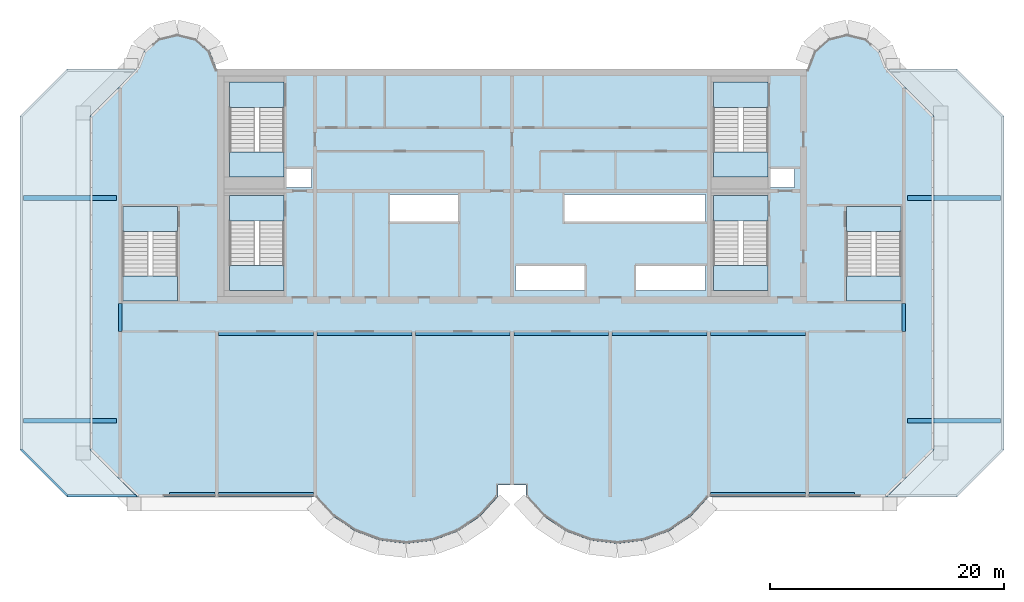
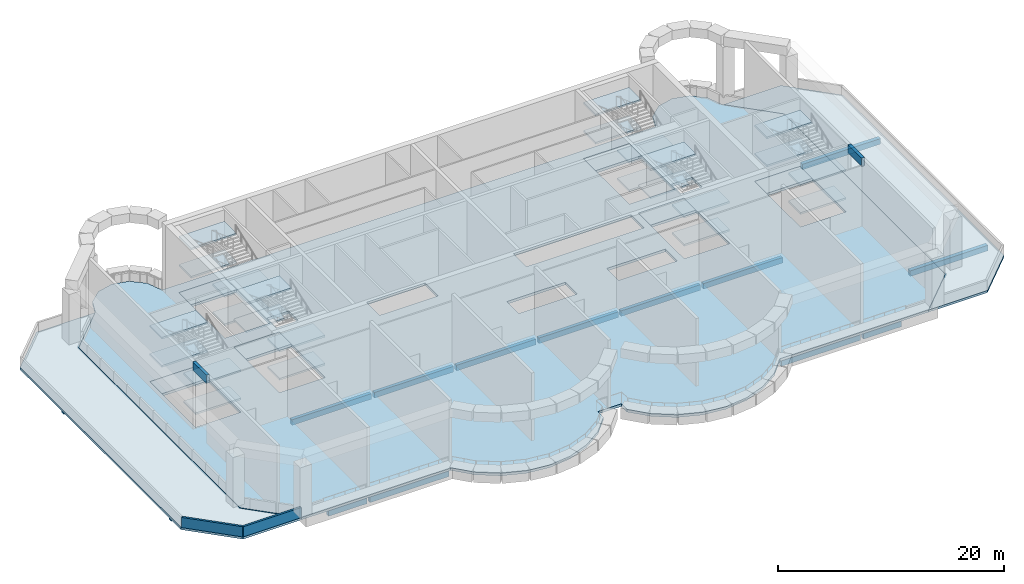
# One storey, part 1 of 11: 33 slabs, 16 beams, 2 walls, 6 elements without a shape of their own.
"""IFC4 building model written with IfcOpenShell, lengths in metres."""

from ifc_helpers import new_model, si_unit, direction, frame, frame_2d, origin, origin_2d, place, context, subcontext, project, spatial, polyline, rectangle, outline, extrude, source, transform, mapped, material, layer, layer_set, material_profile, profile_set, type_object, element, aggregate, save


model = new_model("IFC4")

# Units and contexts
model_context = context("Model", 3, precision=1e-05, world=origin(), true_north=direction((0.0, 1.0)))
body_context = subcontext(model_context, "Body", "Model", "MODEL_VIEW")
ifc_project = project(units=[si_unit("LENGTHUNIT", "METRE"), si_unit("AREAUNIT", "SQUARE_METRE"), si_unit("VOLUMEUNIT", "CUBIC_METRE"), si_unit("PLANEANGLEUNIT", "RADIAN"), si_unit("MASSUNIT", "GRAM", prefix="KILO")], contexts=[model_context])

# Site, building, storey
site_placement = place(None, origin())
site = spatial("IfcSite", under=ifc_project, at=site_placement, CompositionType="ELEMENT")
building_placement = place(site_placement, origin())
building = spatial("IfcBuilding", under=site, at=building_placement, Name="Vanashikhar Sky Hotel", CompositionType="ELEMENT")
storey_placement = place(building_placement, frame((0.0, 0.0, 206.39990234375)))
storey = spatial("IfcBuildingStorey", under=building, at=storey_placement, Name="L50", CompositionType="ELEMENT", Elevation=206.39990234375)

# Beams
ifc_material_1 = material(Name="Concrete M50", Category="concrete")
ifc_material_profile_1 = material_profile(ifc_material_1, rectangle(XDim=0.300048828125, YDim=0.89990234375, at=origin_2d()))
ifc_profile_set_1 = profile_set([ifc_material_profile_1], Name="RC 300x900 beam Concrete M50")
beam_type_1 = type_object("IfcBeamType", Name="RC 300x900 beam Concrete M50", PredefinedType="LINTEL", material=ifc_profile_set_1)
shared_shape_1 = source(origin(), body_context, "Body", "SweptSolid", [
    extrude(rectangle(XDim=0.300048828125, YDim=0.89990234375, at=origin_2d()), origin(), (0.0, 0.0, 1.0), 2.39990234375),
])
for number, where, z_axis, x_axis, name in (
    (1, (16.949951171875, 19.60009765625, 6.8701171875), (0.0, 1.0, 0.0), (-1.0, 0.0, 0.0), "LB-L50-XW03"),
    (2, (83.85009765625, 19.60009765625, 6.8701171875), (0.0, 1.0, 0.0), (-1.0, 0.0, 0.0), "LB-L50-XW11"),
):
    element("IfcBeam", number, at=place(storey_placement, frame(where, z_axis=z_axis, x_axis=x_axis)), inside=storey, type_object=beam_type_1, Name=name, PredefinedType="LINTEL", context=body_context, shape_type="MappedRepresentation", body=[
        mapped(shared_shape_1, transform((0.0, 0.0, 0.0), scale=1.0)),
    ])
ifc_material_profile_2 = material_profile(ifc_material_1, rectangle(XDim=0.35009765625, YDim=0.60009765625, at=origin_2d()))
ifc_profile_set_2 = profile_set([ifc_material_profile_2], Name="RC 350x600 beam Concrete M50")
beam_type_2 = type_object("IfcBeamType", Name="RC 350x600 beam Concrete M50", PredefinedType="SPANDREL", material=ifc_profile_set_2)
shared_shape_2 = source(origin(), body_context, "Body", "SweptSolid", [
    extrude(rectangle(XDim=0.35009765625, YDim=0.60009765625, at=origin_2d()), origin(), (0.0, 0.0, 1.0), 8.099853515625),
])
for number, where, z_axis, x_axis, name in (
    (3, (25.35009765625, 5.675048828125, -0.579833984375), (1.0, 0.0, 0.0), (0.0, 1.0, 0.0), "EB-L50-F01"),
    (4, (67.35009765625, 5.675048828125, -0.579833984375), (1.0, 0.0, 0.0), (0.0, 1.0, 0.0), "EB-L50-F03"),
    (5, (25.35009765625, 19.425048828125, -0.579833984375), (1.0, 0.0, 0.0), (0.0, 1.0, 0.0), "CB-L50-01"),
    (6, (50.550048828125, 19.425048828125, -0.579833984375), (1.0, 0.0, 0.0), (0.0, 1.0, 0.0), "CB-L50-04"),
    (7, (67.35009765625, 19.425048828125, -0.579833984375), (1.0, 0.0, 0.0), (0.0, 1.0, 0.0), "CB-L50-06"),
):
    element("IfcBeam", number, at=place(storey_placement, frame(where, z_axis=z_axis, x_axis=x_axis)), inside=storey, type_object=beam_type_2, Name=name, PredefinedType="SPANDREL", context=body_context, shape_type="MappedRepresentation", body=[
        mapped(shared_shape_2, transform((0.0, 0.0, 0.0), scale=1.0)),
    ])
ifc_material_profile_3 = material_profile(ifc_material_1, rectangle(XDim=0.35009765625, YDim=0.60009765625, at=origin_2d()))
ifc_profile_set_3 = profile_set([ifc_material_profile_3], Name="RC 350x600 cantilever beam Concrete M50")
beam_type_3 = type_object("IfcBeamType", Name="RC 350x600 cantilever beam Concrete M50", PredefinedType="SPANDREL", material=ifc_profile_set_3)
shared_shape_3 = source(origin(), body_context, "Body", "SweptSolid", [
    extrude(rectangle(XDim=0.35009765625, YDim=0.60009765625, at=origin_2d()), origin(), (0.0, 0.0, 1.0), 3.900146484375),
])
beam_1_placement = place(storey_placement, frame((21.14990234375, 5.675048828125, -0.579833984375), z_axis=(1.0, 0.0, 0.0), x_axis=(0.0, 1.0, 0.0)))
element("IfcBeam", 8, at=beam_1_placement, inside=storey, type_object=beam_type_3, Name="EB-L50-F02", PredefinedType="SPANDREL", context=body_context, shape_type="MappedRepresentation", body=[
    mapped(shared_shape_3, transform((0.0, 0.0, 0.0), scale=1.0)),
])
shared_shape_4 = source(origin(), body_context, "Body", "SweptSolid", [
    extrude(rectangle(XDim=0.35009765625, YDim=0.60009765625, at=origin_2d()), origin(), (0.0, 0.0, 1.0), 3.89990234375),
])
beam_2_placement = place(storey_placement, frame((75.75, 5.675048828125, -0.579833984375), z_axis=(1.0, 0.0, 0.0), x_axis=(0.0, 1.0, 0.0)))
element("IfcBeam", 9, at=beam_2_placement, inside=storey, type_object=beam_type_3, Name="EB-L50-F04", PredefinedType="SPANDREL", context=body_context, shape_type="MappedRepresentation", body=[
    mapped(shared_shape_4, transform((0.0, 0.0, 0.0), scale=1.0)),
])
shared_shape_5 = source(origin(), body_context, "Body", "SweptSolid", [
    extrude(rectangle(XDim=0.35009765625, YDim=0.60009765625, at=origin_2d()), origin(), (0.0, 0.0, 1.0), 8.10009765625),
])
for number, where, z_axis, x_axis, name in (
    (10, (33.75, 19.425048828125, -0.579833984375), (1.0, 0.0, 0.0), (0.0, 1.0, 0.0), "CB-L50-02"),
    (11, (42.14990234375, 19.425048828125, -0.579833984375), (1.0, 0.0, 0.0), (0.0, 1.0, 0.0), "CB-L50-03"),
    (12, (58.949951171875, 19.425048828125, -0.579833984375), (1.0, 0.0, 0.0), (0.0, 1.0, 0.0), "CB-L50-05"),
):
    element("IfcBeam", number, at=place(storey_placement, frame(where, z_axis=z_axis, x_axis=x_axis)), inside=storey, type_object=beam_type_2, Name=name, PredefinedType="SPANDREL", context=body_context, shape_type="MappedRepresentation", body=[
        mapped(shared_shape_5, transform((0.0, 0.0, 0.0), scale=1.0)),
    ])
ifc_material_profile_4 = material_profile(ifc_material_1, rectangle(XDim=0.39990234375, YDim=0.60009765625, at=origin_2d()))
ifc_profile_set_4 = profile_set([ifc_material_profile_4], Name="RC 400x600 beam Concrete M50")
beam_type_4 = type_object("IfcBeamType", Name="RC 400x600 beam Concrete M50", PredefinedType="BEAM", material=ifc_profile_set_4)
shared_shape_6 = source(origin(), body_context, "Body", "SweptSolid", [
    extrude(rectangle(XDim=0.39990234375, YDim=0.60009765625, at=origin_2d()), origin(), (0.0, 0.0, 1.0), 7.949951171875),
])
for number, where, z_axis, x_axis, name in (
    (13, (8.699951171875, 12.0, -0.579833984375), (1.0, 0.0, 0.0), (0.0, 1.0, 0.0), "TB-L50-W1"),
    (14, (8.699951171875, 31.0, -0.579833984375), (1.0, 0.0, 0.0), (0.0, 1.0, 0.0), "TB-L50-W2"),
):
    element("IfcBeam", number, at=place(storey_placement, frame(where, z_axis=z_axis, x_axis=x_axis)), inside=storey, type_object=beam_type_4, Name=name, PredefinedType="BEAM", context=body_context, shape_type="MappedRepresentation", body=[
        mapped(shared_shape_6, transform((0.0, 0.0, 0.0), scale=1.0)),
    ])
shared_shape_7 = source(origin(), body_context, "Body", "SweptSolid", [
    extrude(rectangle(XDim=0.39990234375, YDim=0.60009765625, at=origin_2d()), origin(), (0.0, 0.0, 1.0), 7.9501953125),
])
for number, where, z_axis, x_axis, name in (
    (15, (84.14990234375, 12.0, -0.579833984375), (1.0, 0.0, 0.0), (0.0, 1.0, 0.0), "TB-L50-E1"),
    (16, (84.14990234375, 31.0, -0.579833984375), (1.0, 0.0, 0.0), (0.0, 1.0, 0.0), "TB-L50-E2"),
):
    element("IfcBeam", number, at=place(storey_placement, frame(where, z_axis=z_axis, x_axis=x_axis)), inside=storey, type_object=beam_type_4, Name=name, PredefinedType="BEAM", context=body_context, shape_type="MappedRepresentation", body=[
        mapped(shared_shape_7, transform((0.0, 0.0, 0.0), scale=1.0)),
    ])

# Slabs
ifc_material_2 = material(Name="Concrete M40", Category="concrete")
ifc_layer_1 = layer(ifc_material_2, 0.280029296875)
ifc_layer_set_1 = layer_set([ifc_layer_1], Name="Floor slab 280 mm")
slab_type_1 = type_object("IfcSlabType", Name="Floor slab 280 mm", PredefinedType="FLOOR", material=ifc_layer_set_1)
shared_shape_8 = source(origin(), body_context, "Body", "SweptSolid", [
    extrude(outline(polyline([(49.199951171875, 5.5), (49.199951171875, 6.5), (51.60009765625, 6.5), (51.60009765625, 5.5), (53.133056640625, 3.825927734375), (55.01708984375, 2.55810546875), (57.14599609375, 1.76806640625), (59.39990234375, 1.5), (61.654052734375, 1.76806640625), (63.782958984375, 2.55810546875), (65.6669921875, 3.825927734375), (67.199951171875, 5.5), (82.39990234375, 5.5), (86.39990234375, 9.5), (86.39990234375, 38.0), (82.39990234375, 42.0), (81.81494140625, 43.527099609375), (80.587890625, 44.610107421875), (79.0, 45.0), (77.412109375, 44.610107421875), (76.18505859375, 43.527099609375), (75.60009765625, 42.0), (25.199951171875, 42.0), (24.614990234375, 43.527099609375), (23.387939453125, 44.610107421875), (21.800048828125, 45.0), (20.2119140625, 44.610107421875), (18.985107421875, 43.527099609375), (18.39990234375, 42.0), (14.39990234375, 38.0), (14.39990234375, 9.5), (18.39990234375, 5.5), (33.60009765625, 5.5), (35.133056640625, 3.825927734375), (37.01708984375, 2.55810546875), (39.14599609375, 1.76806640625), (41.39990234375, 1.5), (43.654052734375, 1.76806640625), (45.782958984375, 2.55810546875), (47.6669921875, 3.825927734375), (49.199951171875, 5.5)]), holes=[polyline([(33.300048828125, 33.60009765625), (31.050048828125, 33.60009765625), (31.050048828125, 31.89990234375), (33.300048828125, 31.89990234375), (33.300048828125, 33.60009765625)]), polyline([(39.89990234375, 31.300048828125), (39.89990234375, 29.0), (45.89990234375, 29.0), (45.89990234375, 31.300048828125), (39.89990234375, 31.300048828125)]), polyline([(50.699951171875, 25.199951171875), (50.699951171875, 23.10009765625), (56.699951171875, 23.10009765625), (56.699951171875, 25.199951171875), (50.699951171875, 25.199951171875)]), polyline([(66.89990234375, 29.0), (66.89990234375, 31.300048828125), (54.89990234375, 31.300048828125), (54.89990234375, 29.0), (66.89990234375, 29.0)]), polyline([(60.89990234375, 25.199951171875), (60.89990234375, 23.10009765625), (66.89990234375, 23.10009765625), (66.89990234375, 25.199951171875), (60.89990234375, 25.199951171875)]), polyline([(74.5, 33.60009765625), (72.35009765625, 33.60009765625), (72.35009765625, 31.89990234375), (74.5, 31.89990234375), (74.5, 33.60009765625)]), polyline([(30.949951171875, 23.10009765625), (30.949951171875, 31.199951171875), (26.300048828125, 31.199951171875), (26.300048828125, 23.10009765625), (30.949951171875, 23.10009765625)]), polyline([(72.25, 23.10009765625), (72.25, 31.199951171875), (67.60009765625, 31.199951171875), (67.60009765625, 23.10009765625), (72.25, 23.10009765625)]), polyline([(30.949951171875, 32.800048828125), (30.949951171875, 40.89990234375), (26.300048828125, 40.89990234375), (26.300048828125, 32.800048828125), (30.949951171875, 32.800048828125)]), polyline([(72.25, 32.800048828125), (72.25, 40.89990234375), (67.60009765625, 40.89990234375), (67.60009765625, 32.800048828125), (72.25, 32.800048828125)]), polyline([(83.60009765625, 22.199951171875), (83.60009765625, 30.300048828125), (78.949951171875, 30.300048828125), (78.949951171875, 22.199951171875), (83.60009765625, 22.199951171875)]), polyline([(21.85009765625, 22.199951171875), (21.85009765625, 30.300048828125), (17.199951171875, 30.300048828125), (17.199951171875, 22.199951171875), (21.85009765625, 22.199951171875)])]), origin(), (0.0, 0.0, 1.0), 0.27978515625),
])
slab_1_placement = place(storey_placement, frame((0.0, 0.0, -0.27978515625)))
element("IfcSlab", 17, at=slab_1_placement, inside=storey, type_object=slab_type_1, Name="Floor slab L50", PredefinedType="FLOOR", context=body_context, shape_type="MappedRepresentation", body=[
    mapped(shared_shape_8, transform((0.0, 0.0, 0.0), scale=1.0)),
])
ifc_layer_2 = layer(ifc_material_2, 0.22998046875)
ifc_layer_set_2 = layer_set([ifc_layer_2], Name="Terrace roof slab 230 mm")
slab_type_2 = type_object("IfcSlabType", Name="Terrace roof slab 230 mm", PredefinedType="ROOF", material=ifc_layer_set_2)
shared_shape_9 = source(origin(), body_context, "Body", "SweptSolid", [
    extrude(outline(polyline([(18.39501953125, 5.501953125), (14.39794921875, 9.4990234375), (14.39794921875, 38.0009765625), (18.39501953125, 41.998046875), (12.40087890625, 41.998046875), (8.402099609375, 37.9990234375), (8.402099609375, 9.5009765625), (12.40087890625, 5.501953125), (18.39501953125, 5.501953125)])), origin(), (0.0, 0.0, 1.0), 0.22998046875),
])
slab_2_placement = place(storey_placement, frame((0.0, 0.0, -0.27978515625)))
element("IfcSlab", 18, at=slab_2_placement, inside=storey, type_object=slab_type_2, Name="Terrace roof slab L50 1", PredefinedType="ROOF", context=body_context, shape_type="MappedRepresentation", body=[
    mapped(shared_shape_9, transform((0.0, 0.0, 0.0), scale=1.0)),
])
shared_shape_10 = source(origin(), body_context, "Body", "SweptSolid", [
    extrude(outline(polyline([(82.405029296875, 41.998046875), (86.402099609375, 38.0009765625), (86.402099609375, 9.4990234375), (82.405029296875, 5.501953125), (88.39892578125, 5.501953125), (92.39794921875, 9.5009765625), (92.39794921875, 37.9990234375), (88.39892578125, 41.998046875), (82.405029296875, 41.998046875)])), origin(), (0.0, 0.0, 1.0), 0.22998046875),
])
slab_3_placement = place(storey_placement, frame((0.0, 0.0, -0.27978515625)))
element("IfcSlab", 19, at=slab_3_placement, inside=storey, type_object=slab_type_2, Name="Terrace roof slab L50 2", PredefinedType="ROOF", context=body_context, shape_type="MappedRepresentation", body=[
    mapped(shared_shape_10, transform((0.0, 0.0, 0.0), scale=1.0)),
])

# Stair, slabs
stair_type = type_object("IfcStairType", Name="Exit stair 2150", PredefinedType="DOUBLE_RETURN_STAIR", material=ifc_material_2)
stair_1_placement = place(storey_placement, origin())
stair_1 = element("IfcStair", 20, at=stair_1_placement, inside=storey, type_object=stair_type, Name="L50 Exit stair 1", PredefinedType="DOUBLE_RETURN_STAIR")
ifc_layer_3 = layer(ifc_material_2, 0.199951171875)
ifc_layer_set_3 = layer_set([ifc_layer_3], Name="Stair landing 200")
slab_type_3 = type_object("IfcSlabType", Name="Stair landing 200", PredefinedType="LANDING", material=ifc_layer_set_3)
shared_shape_11 = source(origin(), body_context, "Body", "SweptSolid", [
    extrude(outline(polyline([(30.949951171875, 29.050048828125), (30.949951171875, 31.199951171875), (26.300048828125, 31.199951171875), (26.300048828125, 29.050048828125), (30.949951171875, 29.050048828125)])), origin(), (0.0, 0.0, 1.0), 0.199951171875),
])
slab_4_placement = place(storey_placement, frame((0.0, 0.0, 2.840087890625)))
slab_4 = element("IfcSlab", 21, at=slab_4_placement, type_object=slab_type_3, Name="ST-C1 landing 2", PredefinedType="LANDING", context=body_context, shape_type="MappedRepresentation", body=[
    mapped(shared_shape_11, transform((0.0, 0.0, 0.0), scale=1.0)),
])
slab_5_placement = place(storey_placement, frame((0.0, 0.0, 5.880126953125)))
slab_5 = element("IfcSlab", 22, at=slab_5_placement, type_object=slab_type_3, Name="ST-C1 landing 4", PredefinedType="LANDING", context=body_context, shape_type="MappedRepresentation", body=[
    mapped(shared_shape_11, transform((0.0, 0.0, 0.0), scale=1.0)),
])
shared_shape_12 = source(origin(), body_context, "Body", "SweptSolid", [
    extrude(outline(polyline([(30.949951171875, 23.10009765625), (30.949951171875, 25.25), (26.300048828125, 25.25), (26.300048828125, 23.10009765625), (30.949951171875, 23.10009765625)])), origin(), (0.0, 0.0, 1.0), 0.199951171875),
])
slab_6_placement = place(storey_placement, frame((0.0, 0.0, 1.320068359375)))
slab_6 = element("IfcSlab", 23, at=slab_6_placement, type_object=slab_type_3, Name="ST-C1 landing 1", PredefinedType="LANDING", context=body_context, shape_type="MappedRepresentation", body=[
    mapped(shared_shape_12, transform((0.0, 0.0, 0.0), scale=1.0)),
])
slab_7_placement = place(storey_placement, frame((0.0, 0.0, 4.360107421875)))
slab_7 = element("IfcSlab", 24, at=slab_7_placement, type_object=slab_type_3, Name="ST-C1 landing 3", PredefinedType="LANDING", context=body_context, shape_type="MappedRepresentation", body=[
    mapped(shared_shape_12, transform((0.0, 0.0, 0.0), scale=1.0)),
])
aggregate(stair_1, [slab_6, slab_4, slab_7, slab_5])

# Slab
ifc_layer_4 = layer(ifc_material_2, 0.280029296875)
ifc_layer_set_4 = layer_set([ifc_layer_4], Name="Stair floor landing 280")
slab_type_4 = type_object("IfcSlabType", Name="Stair floor landing 280", PredefinedType="LANDING", material=ifc_layer_set_4)
shared_shape_13 = source(origin(), body_context, "Body", "SweptSolid", [
    extrude(outline(polyline([(30.949951171875, 29.050048828125), (30.949951171875, 31.199951171875), (26.300048828125, 31.199951171875), (26.300048828125, 29.050048828125), (30.949951171875, 29.050048828125)])), origin(), (0.0, 0.0, 1.0), 0.27978515625),
])
slab_8_placement = place(storey_placement, frame((0.0, 0.0, -0.27978515625)))
element("IfcSlab", 25, at=slab_8_placement, inside=storey, type_object=slab_type_4, Name="Exit stair 1 floor landing", PredefinedType="LANDING", context=body_context, shape_type="MappedRepresentation", body=[
    mapped(shared_shape_13, transform((0.0, 0.0, 0.0), scale=1.0)),
])

# Stair, slabs
stair_2_placement = place(storey_placement, origin())
stair_2 = element("IfcStair", 26, at=stair_2_placement, inside=storey, type_object=stair_type, Name="L50 Exit stair 2", PredefinedType="DOUBLE_RETURN_STAIR")
shared_shape_14 = source(origin(), body_context, "Body", "SweptSolid", [
    extrude(outline(polyline([(72.25, 29.050048828125), (72.25, 31.199951171875), (67.60009765625, 31.199951171875), (67.60009765625, 29.050048828125), (72.25, 29.050048828125)])), origin(), (0.0, 0.0, 1.0), 0.199951171875),
])
slab_9_placement = place(storey_placement, frame((0.0, 0.0, 2.840087890625)))
slab_9 = element("IfcSlab", 27, at=slab_9_placement, type_object=slab_type_3, Name="ST-C2 landing 2", PredefinedType="LANDING", context=body_context, shape_type="MappedRepresentation", body=[
    mapped(shared_shape_14, transform((0.0, 0.0, 0.0), scale=1.0)),
])
slab_10_placement = place(storey_placement, frame((0.0, 0.0, 5.880126953125)))
slab_10 = element("IfcSlab", 28, at=slab_10_placement, type_object=slab_type_3, Name="ST-C2 landing 4", PredefinedType="LANDING", context=body_context, shape_type="MappedRepresentation", body=[
    mapped(shared_shape_14, transform((0.0, 0.0, 0.0), scale=1.0)),
])
shared_shape_15 = source(origin(), body_context, "Body", "SweptSolid", [
    extrude(outline(polyline([(72.25, 23.10009765625), (72.25, 25.25), (67.60009765625, 25.25), (67.60009765625, 23.10009765625), (72.25, 23.10009765625)])), origin(), (0.0, 0.0, 1.0), 0.199951171875),
])
slab_11_placement = place(storey_placement, frame((0.0, 0.0, 1.320068359375)))
slab_11 = element("IfcSlab", 29, at=slab_11_placement, type_object=slab_type_3, Name="ST-C2 landing 1", PredefinedType="LANDING", context=body_context, shape_type="MappedRepresentation", body=[
    mapped(shared_shape_15, transform((0.0, 0.0, 0.0), scale=1.0)),
])
slab_12_placement = place(storey_placement, frame((0.0, 0.0, 4.360107421875)))
slab_12 = element("IfcSlab", 30, at=slab_12_placement, type_object=slab_type_3, Name="ST-C2 landing 3", PredefinedType="LANDING", context=body_context, shape_type="MappedRepresentation", body=[
    mapped(shared_shape_15, transform((0.0, 0.0, 0.0), scale=1.0)),
])
aggregate(stair_2, [slab_11, slab_9, slab_12, slab_10])

# Slab
shared_shape_16 = source(origin(), body_context, "Body", "SweptSolid", [
    extrude(outline(polyline([(72.25, 29.050048828125), (72.25, 31.199951171875), (67.60009765625, 31.199951171875), (67.60009765625, 29.050048828125), (72.25, 29.050048828125)])), origin(), (0.0, 0.0, 1.0), 0.27978515625),
])
slab_13_placement = place(storey_placement, frame((0.0, 0.0, -0.27978515625)))
element("IfcSlab", 31, at=slab_13_placement, inside=storey, type_object=slab_type_4, Name="Exit stair 2 floor landing", PredefinedType="LANDING", context=body_context, shape_type="MappedRepresentation", body=[
    mapped(shared_shape_16, transform((0.0, 0.0, 0.0), scale=1.0)),
])

# Stair, slabs
stair_3_placement = place(storey_placement, origin())
stair_3 = element("IfcStair", 32, at=stair_3_placement, inside=storey, type_object=stair_type, Name="L50 Exit stair 3", PredefinedType="DOUBLE_RETURN_STAIR")
shared_shape_17 = source(origin(), body_context, "Body", "SweptSolid", [
    extrude(outline(polyline([(21.85009765625, 28.14990234375), (21.85009765625, 30.300048828125), (17.199951171875, 30.300048828125), (17.199951171875, 28.14990234375), (21.85009765625, 28.14990234375)])), origin(), (0.0, 0.0, 1.0), 0.199951171875),
])
slab_14_placement = place(storey_placement, frame((0.0, 0.0, 2.840087890625)))
slab_14 = element("IfcSlab", 33, at=slab_14_placement, type_object=slab_type_3, Name="ST-W landing 2", PredefinedType="LANDING", context=body_context, shape_type="MappedRepresentation", body=[
    mapped(shared_shape_17, transform((0.0, 0.0, 0.0), scale=1.0)),
])
slab_15_placement = place(storey_placement, frame((0.0, 0.0, 5.880126953125)))
slab_15 = element("IfcSlab", 34, at=slab_15_placement, type_object=slab_type_3, Name="ST-W landing 4", PredefinedType="LANDING", context=body_context, shape_type="MappedRepresentation", body=[
    mapped(shared_shape_17, transform((0.0, 0.0, 0.0), scale=1.0)),
])
shared_shape_18 = source(origin(), body_context, "Body", "SweptSolid", [
    extrude(outline(polyline([(21.85009765625, 22.199951171875), (21.85009765625, 24.35009765625), (17.199951171875, 24.35009765625), (17.199951171875, 22.199951171875), (21.85009765625, 22.199951171875)])), origin(), (0.0, 0.0, 1.0), 0.199951171875),
])
slab_16_placement = place(storey_placement, frame((0.0, 0.0, 1.320068359375)))
slab_16 = element("IfcSlab", 35, at=slab_16_placement, type_object=slab_type_3, Name="ST-W landing 1", PredefinedType="LANDING", context=body_context, shape_type="MappedRepresentation", body=[
    mapped(shared_shape_18, transform((0.0, 0.0, 0.0), scale=1.0)),
])
slab_17_placement = place(storey_placement, frame((0.0, 0.0, 4.360107421875)))
slab_17 = element("IfcSlab", 36, at=slab_17_placement, type_object=slab_type_3, Name="ST-W landing 3", PredefinedType="LANDING", context=body_context, shape_type="MappedRepresentation", body=[
    mapped(shared_shape_18, transform((0.0, 0.0, 0.0), scale=1.0)),
])
aggregate(stair_3, [slab_16, slab_14, slab_17, slab_15])

# Slab
shared_shape_19 = source(origin(), body_context, "Body", "SweptSolid", [
    extrude(outline(polyline([(21.85009765625, 28.14990234375), (21.85009765625, 30.300048828125), (17.199951171875, 30.300048828125), (17.199951171875, 28.14990234375), (21.85009765625, 28.14990234375)])), origin(), (0.0, 0.0, 1.0), 0.27978515625),
])
slab_18_placement = place(storey_placement, frame((0.0, 0.0, -0.27978515625)))
element("IfcSlab", 37, at=slab_18_placement, inside=storey, type_object=slab_type_4, Name="Exit stair 3 floor landing", PredefinedType="LANDING", context=body_context, shape_type="MappedRepresentation", body=[
    mapped(shared_shape_19, transform((0.0, 0.0, 0.0), scale=1.0)),
])

# Stair, slabs
stair_4_placement = place(storey_placement, origin())
stair_4 = element("IfcStair", 38, at=stair_4_placement, inside=storey, type_object=stair_type, Name="L50 Exit stair 4", PredefinedType="DOUBLE_RETURN_STAIR")
shared_shape_20 = source(origin(), body_context, "Body", "SweptSolid", [
    extrude(outline(polyline([(83.60009765625, 28.14990234375), (83.60009765625, 30.300048828125), (78.949951171875, 30.300048828125), (78.949951171875, 28.14990234375), (83.60009765625, 28.14990234375)])), origin(), (0.0, 0.0, 1.0), 0.199951171875),
])
slab_19_placement = place(storey_placement, frame((0.0, 0.0, 2.840087890625)))
slab_19 = element("IfcSlab", 39, at=slab_19_placement, type_object=slab_type_3, Name="ST-E landing 2", PredefinedType="LANDING", context=body_context, shape_type="MappedRepresentation", body=[
    mapped(shared_shape_20, transform((0.0, 0.0, 0.0), scale=1.0)),
])
slab_20_placement = place(storey_placement, frame((0.0, 0.0, 5.880126953125)))
slab_20 = element("IfcSlab", 40, at=slab_20_placement, type_object=slab_type_3, Name="ST-E landing 4", PredefinedType="LANDING", context=body_context, shape_type="MappedRepresentation", body=[
    mapped(shared_shape_20, transform((0.0, 0.0, 0.0), scale=1.0)),
])
shared_shape_21 = source(origin(), body_context, "Body", "SweptSolid", [
    extrude(outline(polyline([(83.60009765625, 22.199951171875), (83.60009765625, 24.35009765625), (78.949951171875, 24.35009765625), (78.949951171875, 22.199951171875), (83.60009765625, 22.199951171875)])), origin(), (0.0, 0.0, 1.0), 0.199951171875),
])
slab_21_placement = place(storey_placement, frame((0.0, 0.0, 1.320068359375)))
slab_21 = element("IfcSlab", 41, at=slab_21_placement, type_object=slab_type_3, Name="ST-E landing 1", PredefinedType="LANDING", context=body_context, shape_type="MappedRepresentation", body=[
    mapped(shared_shape_21, transform((0.0, 0.0, 0.0), scale=1.0)),
])
slab_22_placement = place(storey_placement, frame((0.0, 0.0, 4.360107421875)))
slab_22 = element("IfcSlab", 42, at=slab_22_placement, type_object=slab_type_3, Name="ST-E landing 3", PredefinedType="LANDING", context=body_context, shape_type="MappedRepresentation", body=[
    mapped(shared_shape_21, transform((0.0, 0.0, 0.0), scale=1.0)),
])
aggregate(stair_4, [slab_21, slab_19, slab_22, slab_20])

# Slab
shared_shape_22 = source(origin(), body_context, "Body", "SweptSolid", [
    extrude(outline(polyline([(83.60009765625, 28.14990234375), (83.60009765625, 30.300048828125), (78.949951171875, 30.300048828125), (78.949951171875, 28.14990234375), (83.60009765625, 28.14990234375)])), origin(), (0.0, 0.0, 1.0), 0.27978515625),
])
slab_23_placement = place(storey_placement, frame((0.0, 0.0, -0.27978515625)))
element("IfcSlab", 43, at=slab_23_placement, inside=storey, type_object=slab_type_4, Name="Exit stair 4 floor landing", PredefinedType="LANDING", context=body_context, shape_type="MappedRepresentation", body=[
    mapped(shared_shape_22, transform((0.0, 0.0, 0.0), scale=1.0)),
])

# Stair, slabs
stair_5_placement = place(storey_placement, origin())
stair_5 = element("IfcStair", 44, at=stair_5_placement, inside=storey, type_object=stair_type, Name="L50 Exit stair 5", PredefinedType="DOUBLE_RETURN_STAIR")
shared_shape_23 = source(origin(), body_context, "Body", "SweptSolid", [
    extrude(outline(polyline([(30.949951171875, 38.75), (30.949951171875, 40.89990234375), (26.300048828125, 40.89990234375), (26.300048828125, 38.75), (30.949951171875, 38.75)])), origin(), (0.0, 0.0, 1.0), 0.199951171875),
])
slab_24_placement = place(storey_placement, frame((0.0, 0.0, 2.840087890625)))
slab_24 = element("IfcSlab", 45, at=slab_24_placement, type_object=slab_type_3, Name="ST-C3 landing 2", PredefinedType="LANDING", context=body_context, shape_type="MappedRepresentation", body=[
    mapped(shared_shape_23, transform((0.0, 0.0, 0.0), scale=1.0)),
])
slab_25_placement = place(storey_placement, frame((0.0, 0.0, 5.880126953125)))
slab_25 = element("IfcSlab", 46, at=slab_25_placement, type_object=slab_type_3, Name="ST-C3 landing 4", PredefinedType="LANDING", context=body_context, shape_type="MappedRepresentation", body=[
    mapped(shared_shape_23, transform((0.0, 0.0, 0.0), scale=1.0)),
])
shared_shape_24 = source(origin(), body_context, "Body", "SweptSolid", [
    extrude(outline(polyline([(30.949951171875, 32.800048828125), (30.949951171875, 34.949951171875), (26.300048828125, 34.949951171875), (26.300048828125, 32.800048828125), (30.949951171875, 32.800048828125)])), origin(), (0.0, 0.0, 1.0), 0.199951171875),
])
slab_26_placement = place(storey_placement, frame((0.0, 0.0, 1.320068359375)))
slab_26 = element("IfcSlab", 47, at=slab_26_placement, type_object=slab_type_3, Name="ST-C3 landing 1", PredefinedType="LANDING", context=body_context, shape_type="MappedRepresentation", body=[
    mapped(shared_shape_24, transform((0.0, 0.0, 0.0), scale=1.0)),
])
slab_27_placement = place(storey_placement, frame((0.0, 0.0, 4.360107421875)))
slab_27 = element("IfcSlab", 48, at=slab_27_placement, type_object=slab_type_3, Name="ST-C3 landing 3", PredefinedType="LANDING", context=body_context, shape_type="MappedRepresentation", body=[
    mapped(shared_shape_24, transform((0.0, 0.0, 0.0), scale=1.0)),
])
aggregate(stair_5, [slab_26, slab_24, slab_27, slab_25])

# Slab
shared_shape_25 = source(origin(), body_context, "Body", "SweptSolid", [
    extrude(outline(polyline([(30.949951171875, 38.75), (30.949951171875, 40.89990234375), (26.300048828125, 40.89990234375), (26.300048828125, 38.75), (30.949951171875, 38.75)])), origin(), (0.0, 0.0, 1.0), 0.27978515625),
])
slab_28_placement = place(storey_placement, frame((0.0, 0.0, -0.27978515625)))
element("IfcSlab", 49, at=slab_28_placement, inside=storey, type_object=slab_type_4, Name="Exit stair 5 floor landing", PredefinedType="LANDING", context=body_context, shape_type="MappedRepresentation", body=[
    mapped(shared_shape_25, transform((0.0, 0.0, 0.0), scale=1.0)),
])

# Stair, slabs
stair_6_placement = place(storey_placement, origin())
stair_6 = element("IfcStair", 50, at=stair_6_placement, inside=storey, type_object=stair_type, Name="L50 Exit stair 6", PredefinedType="DOUBLE_RETURN_STAIR")
shared_shape_26 = source(origin(), body_context, "Body", "SweptSolid", [
    extrude(outline(polyline([(72.25, 38.75), (72.25, 40.89990234375), (67.60009765625, 40.89990234375), (67.60009765625, 38.75), (72.25, 38.75)])), origin(), (0.0, 0.0, 1.0), 0.199951171875),
])
slab_29_placement = place(storey_placement, frame((0.0, 0.0, 2.840087890625)))
slab_29 = element("IfcSlab", 51, at=slab_29_placement, type_object=slab_type_3, Name="ST-C4 landing 2", PredefinedType="LANDING", context=body_context, shape_type="MappedRepresentation", body=[
    mapped(shared_shape_26, transform((0.0, 0.0, 0.0), scale=1.0)),
])
slab_30_placement = place(storey_placement, frame((0.0, 0.0, 5.880126953125)))
slab_30 = element("IfcSlab", 52, at=slab_30_placement, type_object=slab_type_3, Name="ST-C4 landing 4", PredefinedType="LANDING", context=body_context, shape_type="MappedRepresentation", body=[
    mapped(shared_shape_26, transform((0.0, 0.0, 0.0), scale=1.0)),
])
shared_shape_27 = source(origin(), body_context, "Body", "SweptSolid", [
    extrude(outline(polyline([(72.25, 32.800048828125), (72.25, 34.949951171875), (67.60009765625, 34.949951171875), (67.60009765625, 32.800048828125), (72.25, 32.800048828125)])), origin(), (0.0, 0.0, 1.0), 0.199951171875),
])
slab_31_placement = place(storey_placement, frame((0.0, 0.0, 1.320068359375)))
slab_31 = element("IfcSlab", 53, at=slab_31_placement, type_object=slab_type_3, Name="ST-C4 landing 1", PredefinedType="LANDING", context=body_context, shape_type="MappedRepresentation", body=[
    mapped(shared_shape_27, transform((0.0, 0.0, 0.0), scale=1.0)),
])
slab_32_placement = place(storey_placement, frame((0.0, 0.0, 4.360107421875)))
slab_32 = element("IfcSlab", 54, at=slab_32_placement, type_object=slab_type_3, Name="ST-C4 landing 3", PredefinedType="LANDING", context=body_context, shape_type="MappedRepresentation", body=[
    mapped(shared_shape_27, transform((0.0, 0.0, 0.0), scale=1.0)),
])
aggregate(stair_6, [slab_31, slab_29, slab_32, slab_30])

# Slab
shared_shape_28 = source(origin(), body_context, "Body", "SweptSolid", [
    extrude(outline(polyline([(72.25, 38.75), (72.25, 40.89990234375), (67.60009765625, 40.89990234375), (67.60009765625, 38.75), (72.25, 38.75)])), origin(), (0.0, 0.0, 1.0), 0.27978515625),
])
slab_33_placement = place(storey_placement, frame((0.0, 0.0, -0.27978515625)))
element("IfcSlab", 55, at=slab_33_placement, inside=storey, type_object=slab_type_4, Name="Exit stair 6 floor landing", PredefinedType="LANDING", context=body_context, shape_type="MappedRepresentation", body=[
    mapped(shared_shape_28, transform((0.0, 0.0, 0.0), scale=1.0)),
])

# Walls
ifc_layer_5 = layer(ifc_material_1, 0.199951171875)
ifc_layer_set_5 = layer_set([ifc_layer_5], Name="Parapet 200")
wall_type = type_object("IfcWallType", Name="Parapet 200", PredefinedType="PARAPET", material=ifc_layer_set_5)
shared_shape_29 = source(origin(), body_context, "Body", "SweptSolid", [
    extrude(rectangle(XDim=5.9091796875, YDim=0.199951171875, at=frame_2d((2.95458984375, 0.0))), origin(), (0.0, 0.0, 1.0), 1.099853515625),
])
wall_1_placement = place(storey_placement, frame((18.3515625, 5.60205078125, -0.0498046875), z_axis=(0.0, 0.0, 1.0), x_axis=(-1.0, 0.0, 0.0)))
element("IfcWall", 56, at=wall_1_placement, inside=storey, type_object=wall_type, Name="Roof parapet", PredefinedType="PARAPET", context=body_context, shape_type="MappedRepresentation", body=[
    mapped(shared_shape_29, transform((0.0, 0.0, 0.0), scale=1.0)),
])
shared_shape_30 = source(origin(), body_context, "Body", "SweptSolid", [
    extrude(rectangle(XDim=5.572509765625, YDim=0.199951171875, at=frame_2d((2.7861328125, 0.0))), origin(), (0.0, 0.0, 1.0), 1.099853515625),
])
wall_2_placement = place(storey_placement, frame((12.4423828125, 5.60205078125, -0.0498046875), z_axis=(0.0, 0.0, 1.0), x_axis=(-0.707106781187, 0.707106781187, 0.0)))
element("IfcWall", 57, at=wall_2_placement, inside=storey, type_object=wall_type, Name="Roof parapet", PredefinedType="PARAPET", context=body_context, shape_type="MappedRepresentation", body=[
    mapped(shared_shape_30, transform((0.0, 0.0, 0.0), scale=1.0)),
])

save(model, "model.ifc")
